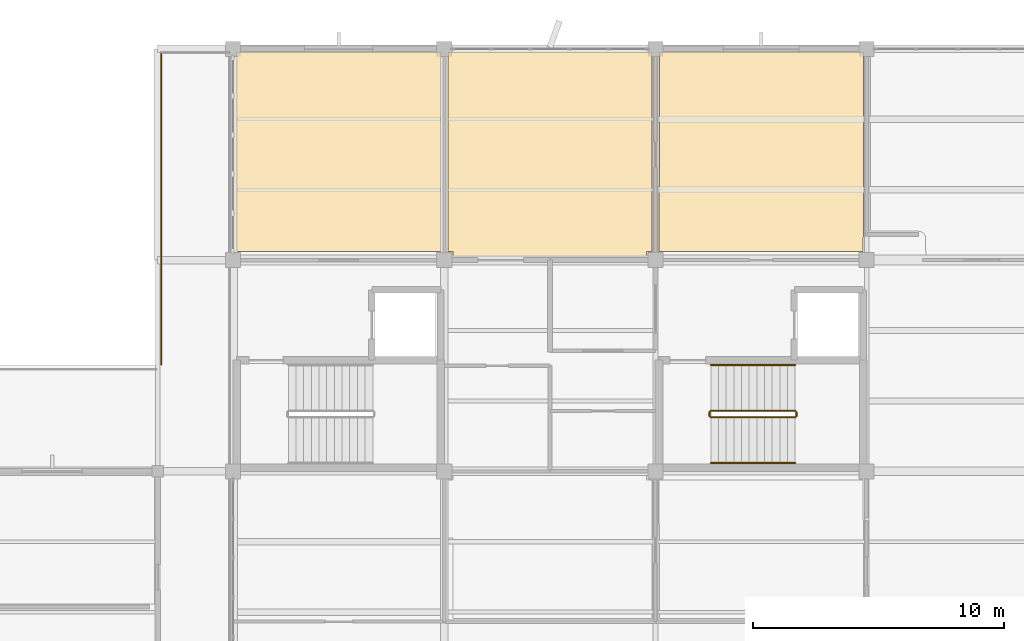
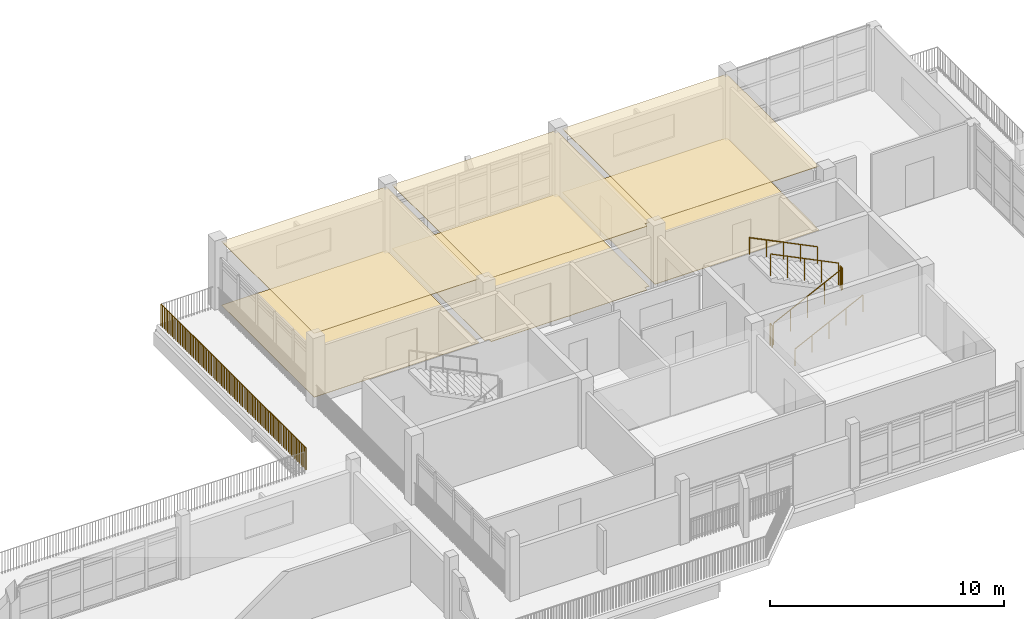
# One storey, part 28 of 33: 7 railings, 6 coverings.
"""IFC4 building model written with IfcOpenShell, lengths in metres."""

from ifc_helpers import new_model, si_unit, direction, frame, origin, origin_2d, place, context, subcontext, project, spatial, polyline, circle, outline, extrude, material, layer, layer_set, type_object, element, save


model = new_model("IFC4")

# Units and contexts
model_context = context("Model", 3, precision=1e-05, world=origin(), true_north=direction((0.0, 1.0)))
body_context = subcontext(model_context, "Body", "Model", "MODEL_VIEW")
ifc_project = project(units=[si_unit("LENGTHUNIT", "METRE"), si_unit("AREAUNIT", "SQUARE_METRE"), si_unit("VOLUMEUNIT", "CUBIC_METRE"), si_unit("PLANEANGLEUNIT", "RADIAN"), si_unit("MASSUNIT", "GRAM", prefix="KILO")], contexts=[model_context])

# Site, building, storey
site_placement = place(None, origin())
site = spatial("IfcSite", under=ifc_project, at=site_placement, CompositionType="ELEMENT")
building_placement = place(site_placement, origin())
building = spatial("IfcBuilding", under=site, at=building_placement, Name="Vanh Quang Courtyard School", CompositionType="ELEMENT")
storey_placement = place(building_placement, frame((0.0, 0.0, 18.60009765625)))
storey = spatial("IfcBuildingStorey", under=building, at=storey_placement, Name="L05", CompositionType="ELEMENT", Elevation=18.60009765625)

# Coverings
ifc_material_1 = material(Name="Perforated mineral-fibre acoustic ceiling board")
ifc_layer_1 = layer(ifc_material_1, 0.02490234375)
ifc_layer_set_1 = layer_set([ifc_layer_1], Name="Perforated mineral-fibre acoustic ceiling board")
covering_type_1 = type_object("IfcCoveringType", Name="COV-CEIL-ACOUSTIC", PredefinedType="CEILING", material=ifc_layer_set_1)
covering_1_placement = place(storey_placement, frame((0.0, 0.0, 3.324951171875)))
element("IfcCovering", 1, at=covering_1_placement, inside=storey, type_object=covering_type_1, Name="Covering CV-CL1 (L05)", PredefinedType="CEILING", context=body_context, shape_type="SweptSolid", body=[
    extrude(outline(polyline([(85.659912109375, 96.469970703125), (85.660888671875, 96.469970703125), (85.662109375, 96.4697265625), (85.662841796875, 96.469482421875), (85.663818359375, 96.46923828125), (85.664794921875, 96.46875), (85.66552734375, 96.46826171875), (85.666259765625, 96.4677734375), (85.6669921875, 96.467041015625), (85.667724609375, 96.46630859375), (85.668212890625, 96.465576171875), (85.668701171875, 96.464599609375), (85.669189453125, 96.4638671875), (85.669677734375, 96.462890625), (85.669921875, 96.4619140625), (85.669921875, 96.4609375), (85.669921875, 96.4599609375), (85.669921875, 88.550048828125), (77.530029296875, 88.550048828125), (77.530029296875, 96.4599609375), (77.530029296875, 96.4609375), (77.5302734375, 96.4619140625), (77.530517578125, 96.462890625), (77.53076171875, 96.4638671875), (77.53125, 96.464599609375), (77.53173828125, 96.465576171875), (77.5322265625, 96.46630859375), (77.532958984375, 96.467041015625), (77.53369140625, 96.4677734375), (77.534423828125, 96.46826171875), (77.535400390625, 96.46875), (77.5361328125, 96.46923828125), (77.537109375, 96.469482421875), (77.5380859375, 96.4697265625), (77.5390625, 96.469970703125), (77.5400390625, 96.469970703125), (85.659912109375, 96.469970703125)])), origin(), (0.0, 0.0, 1.0), 0.02490234375),
])
covering_2_placement = place(storey_placement, frame((0.0, 0.0, 3.324951171875)))
element("IfcCovering", 2, at=covering_2_placement, inside=storey, type_object=covering_type_1, Name="Covering CV-CL1 (L05)", PredefinedType="CEILING", context=body_context, shape_type="SweptSolid", body=[
    extrude(outline(polyline([(86.14990234375, 88.35009765625), (86.14990234375, 88.550048828125), (85.949951171875, 88.550048828125), (85.949951171875, 96.4599609375), (85.949951171875, 96.4609375), (85.9501953125, 96.4619140625), (85.950439453125, 96.462890625), (85.95068359375, 96.4638671875), (85.951171875, 96.464599609375), (85.95166015625, 96.465576171875), (85.952392578125, 96.46630859375), (85.952880859375, 96.467041015625), (85.95361328125, 96.4677734375), (85.954345703125, 96.46826171875), (85.955322265625, 96.46875), (85.956298828125, 96.46923828125), (85.95703125, 96.469482421875), (85.9580078125, 96.4697265625), (85.958984375, 96.469970703125), (85.9599609375, 96.469970703125), (94.06005859375, 96.469970703125), (94.06103515625, 96.469970703125), (94.06201171875, 96.4697265625), (94.06298828125, 96.469482421875), (94.063720703125, 96.46923828125), (94.064697265625, 96.46875), (94.065673828125, 96.46826171875), (94.06640625, 96.4677734375), (94.067138671875, 96.467041015625), (94.067626953125, 96.46630859375), (94.068359375, 96.465576171875), (94.06884765625, 96.464599609375), (94.069091796875, 96.4638671875), (94.069580078125, 96.462890625), (94.06982421875, 96.4619140625), (94.070068359375, 96.4609375), (94.070068359375, 96.4599609375), (94.070068359375, 88.550048828125), (93.85009765625, 88.550048828125), (93.85009765625, 88.35009765625), (90.160888671875, 88.35009765625), (90.054443359375, 88.330078125), (90.053466796875, 88.330078125), (90.052490234375, 88.330078125), (89.96728515625, 88.330078125), (89.966552734375, 88.330078125), (89.965576171875, 88.330078125), (89.859130859375, 88.35009765625), (86.14990234375, 88.35009765625)])), origin(), (0.0, 0.0, 1.0), 0.02490234375),
])
covering_3_placement = place(storey_placement, frame((0.0, 0.0, 3.324951171875)))
element("IfcCovering", 3, at=covering_3_placement, inside=storey, type_object=covering_type_1, Name="Covering CV-CL1 (L05)", PredefinedType="CEILING", context=body_context, shape_type="SweptSolid", body=[
    extrude(outline(polyline([(94.35009765625, 96.4599609375), (94.35009765625, 96.4609375), (94.35009765625, 96.4619140625), (94.350341796875, 96.462890625), (94.350830078125, 96.4638671875), (94.351318359375, 96.464599609375), (94.351806640625, 96.465576171875), (94.352294921875, 96.46630859375), (94.352783203125, 96.467041015625), (94.353759765625, 96.4677734375), (94.3544921875, 96.46826171875), (94.355224609375, 96.46875), (94.356201171875, 96.46923828125), (94.357177734375, 96.469482421875), (94.35791015625, 96.4697265625), (94.35888671875, 96.469970703125), (94.360107421875, 96.469970703125), (102.4599609375, 96.469970703125), (102.4609375, 96.469970703125), (102.4619140625, 96.4697265625), (102.462890625, 96.469482421875), (102.4638671875, 96.46923828125), (102.464599609375, 96.46875), (102.465576171875, 96.46826171875), (102.46630859375, 96.4677734375), (102.467041015625, 96.467041015625), (102.4677734375, 96.46630859375), (102.46826171875, 96.465576171875), (102.46875, 96.464599609375), (102.46923828125, 96.4638671875), (102.469482421875, 96.462890625), (102.4697265625, 96.4619140625), (102.469970703125, 96.4609375), (102.469970703125, 96.4599609375), (102.469970703125, 89.16748046875), (102.469970703125, 89.16650390625), (102.4697265625, 89.16552734375), (102.449951171875, 89.05908203125), (102.449951171875, 88.550048828125), (94.34912109375, 88.550048828125), (94.35009765625, 96.4599609375)])), origin(), (0.0, 0.0, 1.0), 0.02490234375),
])
ifc_material_2 = material(Name="Polished cementitious terrazzo tile", Category="concrete")
ifc_layer_2 = layer(ifc_material_2, 0.02001953125)
ifc_layer_set_2 = layer_set([ifc_layer_2], Name="Polished cementitious terrazzo tile")
covering_type_2 = type_object("IfcCoveringType", Name="COV-FLR-TERRAZZO", PredefinedType="FLOORING", material=ifc_layer_set_2)
covering_4_placement = place(storey_placement, origin())
element("IfcCovering", 4, at=covering_4_placement, inside=storey, type_object=covering_type_2, Name="Covering CV-FL1 (L05)", PredefinedType="FLOORING", context=body_context, shape_type="SweptSolid", body=[
    extrude(outline(polyline([(85.659912109375, 96.469970703125), (85.660888671875, 96.469970703125), (85.662109375, 96.4697265625), (85.662841796875, 96.469482421875), (85.663818359375, 96.46923828125), (85.664794921875, 96.46875), (85.66552734375, 96.46826171875), (85.666259765625, 96.4677734375), (85.6669921875, 96.467041015625), (85.667724609375, 96.46630859375), (85.668212890625, 96.465576171875), (85.668701171875, 96.464599609375), (85.669189453125, 96.4638671875), (85.669677734375, 96.462890625), (85.669921875, 96.4619140625), (85.669921875, 96.4609375), (85.669921875, 96.4599609375), (85.669921875, 88.550048828125), (77.530029296875, 88.550048828125), (77.530029296875, 96.4599609375), (77.530029296875, 96.4609375), (77.5302734375, 96.4619140625), (77.530517578125, 96.462890625), (77.53076171875, 96.4638671875), (77.53125, 96.464599609375), (77.53173828125, 96.465576171875), (77.5322265625, 96.46630859375), (77.532958984375, 96.467041015625), (77.53369140625, 96.4677734375), (77.534423828125, 96.46826171875), (77.535400390625, 96.46875), (77.5361328125, 96.46923828125), (77.537109375, 96.469482421875), (77.5380859375, 96.4697265625), (77.5390625, 96.469970703125), (77.5400390625, 96.469970703125), (85.659912109375, 96.469970703125)])), origin(), (0.0, 0.0, 1.0), 0.02001953125),
])
covering_5_placement = place(storey_placement, origin())
element("IfcCovering", 5, at=covering_5_placement, inside=storey, type_object=covering_type_2, Name="Covering CV-FL1 (L05)", PredefinedType="FLOORING", context=body_context, shape_type="SweptSolid", body=[
    extrude(outline(polyline([(86.14990234375, 88.35009765625), (86.14990234375, 88.550048828125), (85.949951171875, 88.550048828125), (85.949951171875, 96.4599609375), (85.949951171875, 96.4609375), (85.9501953125, 96.4619140625), (85.950439453125, 96.462890625), (85.95068359375, 96.4638671875), (85.951171875, 96.464599609375), (85.95166015625, 96.465576171875), (85.952392578125, 96.46630859375), (85.952880859375, 96.467041015625), (85.95361328125, 96.4677734375), (85.954345703125, 96.46826171875), (85.955322265625, 96.46875), (85.956298828125, 96.46923828125), (85.95703125, 96.469482421875), (85.9580078125, 96.4697265625), (85.958984375, 96.469970703125), (85.9599609375, 96.469970703125), (94.06005859375, 96.469970703125), (94.06103515625, 96.469970703125), (94.06201171875, 96.4697265625), (94.06298828125, 96.469482421875), (94.063720703125, 96.46923828125), (94.064697265625, 96.46875), (94.065673828125, 96.46826171875), (94.06640625, 96.4677734375), (94.067138671875, 96.467041015625), (94.067626953125, 96.46630859375), (94.068359375, 96.465576171875), (94.06884765625, 96.464599609375), (94.069091796875, 96.4638671875), (94.069580078125, 96.462890625), (94.06982421875, 96.4619140625), (94.070068359375, 96.4609375), (94.070068359375, 96.4599609375), (94.070068359375, 88.550048828125), (93.85009765625, 88.550048828125), (93.85009765625, 88.35009765625), (90.160888671875, 88.35009765625), (90.054443359375, 88.330078125), (90.053466796875, 88.330078125), (90.052490234375, 88.330078125), (89.96728515625, 88.330078125), (89.966552734375, 88.330078125), (89.965576171875, 88.330078125), (89.859130859375, 88.35009765625), (86.14990234375, 88.35009765625)])), origin(), (0.0, 0.0, 1.0), 0.02001953125),
])
covering_6_placement = place(storey_placement, origin())
element("IfcCovering", 6, at=covering_6_placement, inside=storey, type_object=covering_type_2, Name="Covering CV-FL1 (L05)", PredefinedType="FLOORING", context=body_context, shape_type="SweptSolid", body=[
    extrude(outline(polyline([(94.35009765625, 96.4599609375), (94.35009765625, 96.4609375), (94.35009765625, 96.4619140625), (94.350341796875, 96.462890625), (94.350830078125, 96.4638671875), (94.351318359375, 96.464599609375), (94.351806640625, 96.465576171875), (94.352294921875, 96.46630859375), (94.352783203125, 96.467041015625), (94.353759765625, 96.4677734375), (94.3544921875, 96.46826171875), (94.355224609375, 96.46875), (94.356201171875, 96.46923828125), (94.357177734375, 96.469482421875), (94.35791015625, 96.4697265625), (94.35888671875, 96.469970703125), (94.360107421875, 96.469970703125), (102.4599609375, 96.469970703125), (102.4609375, 96.469970703125), (102.4619140625, 96.4697265625), (102.462890625, 96.469482421875), (102.4638671875, 96.46923828125), (102.464599609375, 96.46875), (102.465576171875, 96.46826171875), (102.46630859375, 96.4677734375), (102.467041015625, 96.467041015625), (102.4677734375, 96.46630859375), (102.46826171875, 96.465576171875), (102.46875, 96.464599609375), (102.46923828125, 96.4638671875), (102.469482421875, 96.462890625), (102.4697265625, 96.4619140625), (102.469970703125, 96.4609375), (102.469970703125, 96.4599609375), (102.469970703125, 89.16748046875), (102.469970703125, 89.16650390625), (102.4697265625, 89.16552734375), (102.449951171875, 89.05908203125), (102.449951171875, 88.550048828125), (94.34912109375, 88.550048828125), (94.35009765625, 96.4599609375)])), origin(), (0.0, 0.0, 1.0), 0.02001953125),
])

# Railings
ifc_material_3 = material(Name="Galvanised painted steel EN 10025-2 S355J2", Category="steel")
railing_type_1 = type_object("IfcRailingType", Name="RAIL-GUARD-1150", PredefinedType="BALUSTRADE", material=ifc_material_3)
railing_1_placement = place(storey_placement, frame((74.5400390625, 84.050048828125, 0.0)))
element("IfcRailing", 7, at=railing_1_placement, inside=storey, type_object=railing_type_1, Name="Railing GR-01 (L05)", PredefinedType="BALUSTRADE", context=body_context, shape_type="SweptSolid", body=[
    extrude(circle(Radius=0.02392578125, at=origin_2d()), frame((0.0, 0.0, 1.1259765625), z_axis=(0.0, 1.0, 0.0), x_axis=(-1.0, 0.0, 0.0)), (0.0, 0.0, 1.0), 12.409912109375),
    extrude(circle(Radius=0.02099609375, at=origin_2d()), origin(), (0.0, 0.0, 1.0), 1.101806640625),
    extrude(circle(Radius=0.02099609375, at=origin_2d()), frame((0.0, 0.139404296875, 0.0)), (0.0, 0.0, 1.0), 1.101806640625),
    extrude(circle(Radius=0.02099609375, at=origin_2d()), frame((0.0, 0.27880859375, 0.0)), (0.0, 0.0, 1.0), 1.101806640625),
    extrude(circle(Radius=0.02099609375, at=origin_2d()), frame((0.0, 0.418212890625, 0.0)), (0.0, 0.0, 1.0), 1.101806640625),
    extrude(circle(Radius=0.02099609375, at=origin_2d()), frame((0.0, 0.557861328125, 0.0)), (0.0, 0.0, 1.0), 1.101806640625),
    extrude(circle(Radius=0.02099609375, at=origin_2d()), frame((0.0, 0.697265625, 0.0)), (0.0, 0.0, 1.0), 1.101806640625),
    extrude(circle(Radius=0.02099609375, at=origin_2d()), frame((0.0, 0.836669921875, 0.0)), (0.0, 0.0, 1.0), 1.101806640625),
    extrude(circle(Radius=0.02099609375, at=origin_2d()), frame((0.0, 0.97607421875, 0.0)), (0.0, 0.0, 1.0), 1.101806640625),
    extrude(circle(Radius=0.02099609375, at=origin_2d()), frame((0.0, 1.115478515625, 0.0)), (0.0, 0.0, 1.0), 1.101806640625),
    extrude(circle(Radius=0.02099609375, at=origin_2d()), frame((0.0, 1.2548828125, 0.0)), (0.0, 0.0, 1.0), 1.101806640625),
    extrude(circle(Radius=0.02099609375, at=origin_2d()), frame((0.0, 1.394287109375, 0.0)), (0.0, 0.0, 1.0), 1.101806640625),
    extrude(circle(Radius=0.02099609375, at=origin_2d()), frame((0.0, 1.53369140625, 0.0)), (0.0, 0.0, 1.0), 1.101806640625),
    extrude(circle(Radius=0.02099609375, at=origin_2d()), frame((0.0, 1.67333984375, 0.0)), (0.0, 0.0, 1.0), 1.101806640625),
    extrude(circle(Radius=0.02099609375, at=origin_2d()), frame((0.0, 1.812744140625, 0.0)), (0.0, 0.0, 1.0), 1.101806640625),
    extrude(circle(Radius=0.02099609375, at=origin_2d()), frame((0.0, 1.9521484375, 0.0)), (0.0, 0.0, 1.0), 1.101806640625),
    extrude(circle(Radius=0.02099609375, at=origin_2d()), frame((0.0, 2.091552734375, 0.0)), (0.0, 0.0, 1.0), 1.101806640625),
    extrude(circle(Radius=0.02099609375, at=origin_2d()), frame((0.0, 2.23095703125, 0.0)), (0.0, 0.0, 1.0), 1.101806640625),
    extrude(circle(Radius=0.02099609375, at=origin_2d()), frame((0.0, 2.370361328125, 0.0)), (0.0, 0.0, 1.0), 1.101806640625),
    extrude(circle(Radius=0.02099609375, at=origin_2d()), frame((0.0, 2.509765625, 0.0)), (0.0, 0.0, 1.0), 1.101806640625),
    extrude(circle(Radius=0.02099609375, at=origin_2d()), frame((0.0, 2.6494140625, 0.0)), (0.0, 0.0, 1.0), 1.101806640625),
    extrude(circle(Radius=0.02099609375, at=origin_2d()), frame((0.0, 2.788818359375, 0.0)), (0.0, 0.0, 1.0), 1.101806640625),
    extrude(circle(Radius=0.02099609375, at=origin_2d()), frame((0.0, 2.92822265625, 0.0)), (0.0, 0.0, 1.0), 1.101806640625),
    extrude(circle(Radius=0.02099609375, at=origin_2d()), frame((0.0, 3.067626953125, 0.0)), (0.0, 0.0, 1.0), 1.101806640625),
    extrude(circle(Radius=0.02099609375, at=origin_2d()), frame((0.0, 3.20703125, 0.0)), (0.0, 0.0, 1.0), 1.101806640625),
    extrude(circle(Radius=0.02099609375, at=origin_2d()), frame((0.0, 3.346435546875, 0.0)), (0.0, 0.0, 1.0), 1.101806640625),
    extrude(circle(Radius=0.02099609375, at=origin_2d()), frame((0.0, 3.48583984375, 0.0)), (0.0, 0.0, 1.0), 1.101806640625),
    extrude(circle(Radius=0.02099609375, at=origin_2d()), frame((0.0, 3.62548828125, 0.0)), (0.0, 0.0, 1.0), 1.101806640625),
    extrude(circle(Radius=0.02099609375, at=origin_2d()), frame((0.0, 3.764892578125, 0.0)), (0.0, 0.0, 1.0), 1.101806640625),
    extrude(circle(Radius=0.02099609375, at=origin_2d()), frame((0.0, 3.904296875, 0.0)), (0.0, 0.0, 1.0), 1.101806640625),
    extrude(circle(Radius=0.02099609375, at=origin_2d()), frame((0.0, 4.043701171875, 0.0)), (0.0, 0.0, 1.0), 1.101806640625),
    extrude(circle(Radius=0.02099609375, at=origin_2d()), frame((0.0, 4.18310546875, 0.0)), (0.0, 0.0, 1.0), 1.101806640625),
    extrude(circle(Radius=0.02099609375, at=origin_2d()), frame((0.0, 4.322509765625, 0.0)), (0.0, 0.0, 1.0), 1.101806640625),
    extrude(circle(Radius=0.02099609375, at=origin_2d()), frame((0.0, 4.4619140625, 0.0)), (0.0, 0.0, 1.0), 1.101806640625),
    extrude(circle(Radius=0.02099609375, at=origin_2d()), frame((0.0, 4.601318359375, 0.0)), (0.0, 0.0, 1.0), 1.101806640625),
    extrude(circle(Radius=0.02099609375, at=origin_2d()), frame((0.0, 4.740966796875, 0.0)), (0.0, 0.0, 1.0), 1.101806640625),
    extrude(circle(Radius=0.02099609375, at=origin_2d()), frame((0.0, 4.88037109375, 0.0)), (0.0, 0.0, 1.0), 1.101806640625),
    extrude(circle(Radius=0.02099609375, at=origin_2d()), frame((0.0, 5.019775390625, 0.0)), (0.0, 0.0, 1.0), 1.101806640625),
    extrude(circle(Radius=0.02099609375, at=origin_2d()), frame((0.0, 5.1591796875, 0.0)), (0.0, 0.0, 1.0), 1.101806640625),
    extrude(circle(Radius=0.02099609375, at=origin_2d()), frame((0.0, 5.298583984375, 0.0)), (0.0, 0.0, 1.0), 1.101806640625),
    extrude(circle(Radius=0.02099609375, at=origin_2d()), frame((0.0, 5.43798828125, 0.0)), (0.0, 0.0, 1.0), 1.101806640625),
    extrude(circle(Radius=0.02099609375, at=origin_2d()), frame((0.0, 5.577392578125, 0.0)), (0.0, 0.0, 1.0), 1.101806640625),
    extrude(circle(Radius=0.02099609375, at=origin_2d()), frame((0.0, 5.717041015625, 0.0)), (0.0, 0.0, 1.0), 1.101806640625),
    extrude(circle(Radius=0.02099609375, at=origin_2d()), frame((0.0, 5.8564453125, 0.0)), (0.0, 0.0, 1.0), 1.101806640625),
    extrude(circle(Radius=0.02099609375, at=origin_2d()), frame((0.0, 5.995849609375, 0.0)), (0.0, 0.0, 1.0), 1.101806640625),
    extrude(circle(Radius=0.02099609375, at=origin_2d()), frame((0.0, 6.13525390625, 0.0)), (0.0, 0.0, 1.0), 1.101806640625),
    extrude(circle(Radius=0.02099609375, at=origin_2d()), frame((0.0, 6.274658203125, 0.0)), (0.0, 0.0, 1.0), 1.101806640625),
    extrude(circle(Radius=0.02099609375, at=origin_2d()), frame((0.0, 6.4140625, 0.0)), (0.0, 0.0, 1.0), 1.101806640625),
    extrude(circle(Radius=0.02099609375, at=origin_2d()), frame((0.0, 6.553466796875, 0.0)), (0.0, 0.0, 1.0), 1.101806640625),
    extrude(circle(Radius=0.02099609375, at=origin_2d()), frame((0.0, 6.69287109375, 0.0)), (0.0, 0.0, 1.0), 1.101806640625),
    extrude(circle(Radius=0.02099609375, at=origin_2d()), frame((0.0, 6.83251953125, 0.0)), (0.0, 0.0, 1.0), 1.101806640625),
    extrude(circle(Radius=0.02099609375, at=origin_2d()), frame((0.0, 6.971923828125, 0.0)), (0.0, 0.0, 1.0), 1.101806640625),
    extrude(circle(Radius=0.02099609375, at=origin_2d()), frame((0.0, 7.111328125, 0.0)), (0.0, 0.0, 1.0), 1.101806640625),
    extrude(circle(Radius=0.02099609375, at=origin_2d()), frame((0.0, 7.250732421875, 0.0)), (0.0, 0.0, 1.0), 1.101806640625),
    extrude(circle(Radius=0.02099609375, at=origin_2d()), frame((0.0, 7.39013671875, 0.0)), (0.0, 0.0, 1.0), 1.101806640625),
    extrude(circle(Radius=0.02099609375, at=origin_2d()), frame((0.0, 7.529541015625, 0.0)), (0.0, 0.0, 1.0), 1.101806640625),
    extrude(circle(Radius=0.02099609375, at=origin_2d()), frame((0.0, 7.6689453125, 0.0)), (0.0, 0.0, 1.0), 1.101806640625),
    extrude(circle(Radius=0.02099609375, at=origin_2d()), frame((0.0, 7.80859375, 0.0)), (0.0, 0.0, 1.0), 1.101806640625),
    extrude(circle(Radius=0.02099609375, at=origin_2d()), frame((0.0, 7.947998046875, 0.0)), (0.0, 0.0, 1.0), 1.101806640625),
    extrude(circle(Radius=0.02099609375, at=origin_2d()), frame((0.0, 8.08740234375, 0.0)), (0.0, 0.0, 1.0), 1.101806640625),
    extrude(circle(Radius=0.02099609375, at=origin_2d()), frame((0.0, 8.226806640625, 0.0)), (0.0, 0.0, 1.0), 1.101806640625),
    extrude(circle(Radius=0.02099609375, at=origin_2d()), frame((0.0, 8.3662109375, 0.0)), (0.0, 0.0, 1.0), 1.101806640625),
    extrude(circle(Radius=0.02099609375, at=origin_2d()), frame((0.0, 8.505615234375, 0.0)), (0.0, 0.0, 1.0), 1.101806640625),
    extrude(circle(Radius=0.02099609375, at=origin_2d()), frame((0.0, 8.64501953125, 0.0)), (0.0, 0.0, 1.0), 1.101806640625),
    extrude(circle(Radius=0.02099609375, at=origin_2d()), frame((0.0, 8.784423828125, 0.0)), (0.0, 0.0, 1.0), 1.101806640625),
    extrude(circle(Radius=0.02099609375, at=origin_2d()), frame((0.0, 8.924072265625, 0.0)), (0.0, 0.0, 1.0), 1.101806640625),
    extrude(circle(Radius=0.02099609375, at=origin_2d()), frame((0.0, 9.0634765625, 0.0)), (0.0, 0.0, 1.0), 1.101806640625),
    extrude(circle(Radius=0.02099609375, at=origin_2d()), frame((0.0, 9.202880859375, 0.0)), (0.0, 0.0, 1.0), 1.101806640625),
    extrude(circle(Radius=0.02099609375, at=origin_2d()), frame((0.0, 9.34228515625, 0.0)), (0.0, 0.0, 1.0), 1.101806640625),
    extrude(circle(Radius=0.02099609375, at=origin_2d()), frame((0.0, 9.481689453125, 0.0)), (0.0, 0.0, 1.0), 1.101806640625),
    extrude(circle(Radius=0.02099609375, at=origin_2d()), frame((0.0, 9.62109375, 0.0)), (0.0, 0.0, 1.0), 1.101806640625),
    extrude(circle(Radius=0.02099609375, at=origin_2d()), frame((0.0, 9.760498046875, 0.0)), (0.0, 0.0, 1.0), 1.101806640625),
    extrude(circle(Radius=0.02099609375, at=origin_2d()), frame((0.0, 9.900146484375, 0.0)), (0.0, 0.0, 1.0), 1.101806640625),
    extrude(circle(Radius=0.02099609375, at=origin_2d()), frame((0.0, 10.03955078125, 0.0)), (0.0, 0.0, 1.0), 1.101806640625),
    extrude(circle(Radius=0.02099609375, at=origin_2d()), frame((0.0, 10.178955078125, 0.0)), (0.0, 0.0, 1.0), 1.101806640625),
    extrude(circle(Radius=0.02099609375, at=origin_2d()), frame((0.0, 10.318359375, 0.0)), (0.0, 0.0, 1.0), 1.101806640625),
    extrude(circle(Radius=0.02099609375, at=origin_2d()), frame((0.0, 10.457763671875, 0.0)), (0.0, 0.0, 1.0), 1.101806640625),
    extrude(circle(Radius=0.02099609375, at=origin_2d()), frame((0.0, 10.59716796875, 0.0)), (0.0, 0.0, 1.0), 1.101806640625),
    extrude(circle(Radius=0.02099609375, at=origin_2d()), frame((0.0, 10.736572265625, 0.0)), (0.0, 0.0, 1.0), 1.101806640625),
    extrude(circle(Radius=0.02099609375, at=origin_2d()), frame((0.0, 10.876220703125, 0.0)), (0.0, 0.0, 1.0), 1.101806640625),
    extrude(circle(Radius=0.02099609375, at=origin_2d()), frame((0.0, 11.015625, 0.0)), (0.0, 0.0, 1.0), 1.101806640625),
    extrude(circle(Radius=0.02099609375, at=origin_2d()), frame((0.0, 11.155029296875, 0.0)), (0.0, 0.0, 1.0), 1.101806640625),
    extrude(circle(Radius=0.02099609375, at=origin_2d()), frame((0.0, 11.29443359375, 0.0)), (0.0, 0.0, 1.0), 1.101806640625),
    extrude(circle(Radius=0.02099609375, at=origin_2d()), frame((0.0, 11.433837890625, 0.0)), (0.0, 0.0, 1.0), 1.101806640625),
    extrude(circle(Radius=0.02099609375, at=origin_2d()), frame((0.0, 11.5732421875, 0.0)), (0.0, 0.0, 1.0), 1.101806640625),
    extrude(circle(Radius=0.02099609375, at=origin_2d()), frame((0.0, 11.712646484375, 0.0)), (0.0, 0.0, 1.0), 1.101806640625),
    extrude(circle(Radius=0.02099609375, at=origin_2d()), frame((0.0, 11.85205078125, 0.0)), (0.0, 0.0, 1.0), 1.101806640625),
    extrude(circle(Radius=0.02099609375, at=origin_2d()), frame((0.0, 11.99169921875, 0.0)), (0.0, 0.0, 1.0), 1.101806640625),
    extrude(circle(Radius=0.02099609375, at=origin_2d()), frame((0.0, 12.131103515625, 0.0)), (0.0, 0.0, 1.0), 1.101806640625),
    extrude(circle(Radius=0.02099609375, at=origin_2d()), frame((0.0, 12.2705078125, 0.0)), (0.0, 0.0, 1.0), 1.101806640625),
    extrude(circle(Radius=0.02099609375, at=origin_2d()), frame((0.0, 12.409912109375, 0.0)), (0.0, 0.0, 1.0), 1.101806640625),
])
railing_2_placement = place(storey_placement, frame((96.39990234375, 81.949951171875, 0.14990234375)))
element("IfcRailing", 8, at=railing_2_placement, inside=storey, type_object=railing_type_1, Name="L05 ST-02 stair guard 1", PredefinedType="BALUSTRADE", context=body_context, shape_type="SweptSolid", body=[
    extrude(circle(Radius=0.02392578125, at=origin_2d()), frame((0.0, 0.0, 1.1259765625), z_axis=(0.897359292542, 0.0, 0.441300691239), x_axis=(0.0, 1.0, 0.0)), (0.0, 0.0, 1.0), 3.73876953125),
    extrude(circle(Radius=0.02099609375, at=origin_2d()), origin(), (0.0, 0.0, 1.0), 1.101806640625),
    extrude(circle(Radius=0.02099609375, at=origin_2d()), frame((0.8388671875, 0.0, 0.41259765625)), (0.0, 0.0, 1.0), 1.101806640625),
    extrude(circle(Radius=0.02099609375, at=origin_2d()), frame((1.677490234375, 0.0, 0.824951171875)), (0.0, 0.0, 1.0), 1.101806640625),
    extrude(circle(Radius=0.02099609375, at=origin_2d()), frame((2.51611328125, 0.0, 1.2373046875)), (0.0, 0.0, 1.0), 1.101806640625),
    extrude(circle(Radius=0.02099609375, at=origin_2d()), frame((3.35498046875, 0.0, 1.64990234375)), (0.0, 0.0, 1.0), 1.101806640625),
])
railing_3_placement = place(storey_placement, frame((99.804931640625, 82.0, 1.7998046875)))
element("IfcRailing", 9, at=railing_3_placement, inside=storey, type_object=railing_type_1, Name="L05 ST-02 stair guard 2", PredefinedType="BALUSTRADE", context=body_context, shape_type="SweptSolid", body=[
    extrude(circle(Radius=0.02392578125, at=origin_2d()), frame((0.0, 0.0, 1.1259765625), z_axis=(0.0, 1.0, 0.0), x_axis=(-1.0, 0.0, 0.0)), (0.0, 0.0, 1.0), 0.159912109375),
    extrude(circle(Radius=0.02099609375, at=origin_2d()), origin(), (0.0, 0.0, 1.0), 1.101806640625),
    extrude(circle(Radius=0.02099609375, at=origin_2d()), frame((0.0, 0.159912109375, 0.0)), (0.0, 0.0, 1.0), 1.101806640625),
])
railing_4_placement = place(storey_placement, frame((99.7548828125, 82.2099609375, 1.949951171875)))
element("IfcRailing", 10, at=railing_4_placement, inside=storey, type_object=railing_type_1, Name="L05 ST-02 stair guard 3", PredefinedType="BALUSTRADE", context=body_context, shape_type="SweptSolid", body=[
    extrude(circle(Radius=0.02392578125, at=origin_2d()), frame((0.0, 0.0, 1.1259765625), z_axis=(-0.897359292542, 0.0, 0.441300691239), x_axis=(0.0, -1.0, 0.0)), (0.0, 0.0, 1.0), 3.73876953125),
    extrude(circle(Radius=0.02099609375, at=origin_2d()), origin(), (0.0, 0.0, 1.0), 1.101806640625),
    extrude(circle(Radius=0.02099609375, at=origin_2d()), frame((-0.8388671875, 0.0, 0.41259765625)), (0.0, 0.0, 1.0), 1.101806640625),
    extrude(circle(Radius=0.02099609375, at=origin_2d()), frame((-1.677490234375, 0.0, 0.824951171875)), (0.0, 0.0, 1.0), 1.101806640625),
    extrude(circle(Radius=0.02099609375, at=origin_2d()), frame((-2.51611328125, 0.0, 1.2373046875)), (0.0, 0.0, 1.0), 1.101806640625),
    extrude(circle(Radius=0.02099609375, at=origin_2d()), frame((-3.35498046875, 0.0, 1.64990234375)), (0.0, 0.0, 1.0), 1.101806640625),
])
railing_5_placement = place(storey_placement, frame((96.35009765625, 82.0, 0.0)))
element("IfcRailing", 11, at=railing_5_placement, inside=storey, type_object=railing_type_1, Name="L05 ST-02 stair guard 4", PredefinedType="BALUSTRADE", context=body_context, shape_type="SweptSolid", body=[
    extrude(circle(Radius=0.02392578125, at=origin_2d()), frame((0.0, 0.0, 1.1259765625), z_axis=(0.0, 1.0, 0.0), x_axis=(-1.0, 0.0, 0.0)), (0.0, 0.0, 1.0), 0.159912109375),
    extrude(circle(Radius=0.02099609375, at=origin_2d()), origin(), (0.0, 0.0, 1.0), 1.101806640625),
    extrude(circle(Radius=0.02099609375, at=origin_2d()), frame((0.0, 0.159912109375, 0.0)), (0.0, 0.0, 1.0), 1.101806640625),
])
ifc_material_4 = material(Name="Brushed stainless steel", Category="steel")
railing_type_2 = type_object("IfcRailingType", Name="RAIL-HAND-900", PredefinedType="HANDRAIL", material=ifc_material_4)
railing_6_placement = place(storey_placement, frame((96.39990234375, 80.1298828125, 0.14990234375)))
element("IfcRailing", 12, at=railing_6_placement, inside=storey, type_object=railing_type_2, Name="L05 ST-02 stair handrail 1", PredefinedType="HANDRAIL", context=body_context, shape_type="SweptSolid", body=[
    extrude(circle(Radius=0.02392578125, at=origin_2d()), frame((0.0, 0.0, 0.8759765625), z_axis=(0.897359292542, 0.0, 0.441300691239), x_axis=(0.0, 1.0, 0.0)), (0.0, 0.0, 1.0), 3.73876953125),
    extrude(circle(Radius=0.02099609375, at=origin_2d()), origin(), (0.0, 0.0, 1.0), 0.851806640625),
    extrude(circle(Radius=0.02099609375, at=origin_2d()), frame((0.8388671875, 0.0, 0.41259765625)), (0.0, 0.0, 1.0), 0.851806640625),
    extrude(circle(Radius=0.02099609375, at=origin_2d()), frame((1.677490234375, 0.0, 0.824951171875)), (0.0, 0.0, 1.0), 0.851806640625),
    extrude(circle(Radius=0.02099609375, at=origin_2d()), frame((2.51611328125, 0.0, 1.2373046875)), (0.0, 0.0, 1.0), 0.851806640625),
    extrude(circle(Radius=0.02099609375, at=origin_2d()), frame((3.35498046875, 0.0, 1.64990234375)), (0.0, 0.0, 1.0), 0.851806640625),
])
railing_7_placement = place(storey_placement, frame((99.7548828125, 84.030029296875, 1.949951171875)))
element("IfcRailing", 13, at=railing_7_placement, inside=storey, type_object=railing_type_2, Name="L05 ST-02 stair handrail 2", PredefinedType="HANDRAIL", context=body_context, shape_type="SweptSolid", body=[
    extrude(circle(Radius=0.02392578125, at=origin_2d()), frame((0.0, 0.0, 0.8759765625), z_axis=(-0.897359292542, 0.0, 0.441300691239), x_axis=(0.0, -1.0, 0.0)), (0.0, 0.0, 1.0), 3.73876953125),
    extrude(circle(Radius=0.02099609375, at=origin_2d()), origin(), (0.0, 0.0, 1.0), 0.851806640625),
    extrude(circle(Radius=0.02099609375, at=origin_2d()), frame((-0.8388671875, 0.0, 0.41259765625)), (0.0, 0.0, 1.0), 0.851806640625),
    extrude(circle(Radius=0.02099609375, at=origin_2d()), frame((-1.677490234375, 0.0, 0.824951171875)), (0.0, 0.0, 1.0), 0.851806640625),
    extrude(circle(Radius=0.02099609375, at=origin_2d()), frame((-2.51611328125, 0.0, 1.2373046875)), (0.0, 0.0, 1.0), 0.851806640625),
    extrude(circle(Radius=0.02099609375, at=origin_2d()), frame((-3.35498046875, 0.0, 1.64990234375)), (0.0, 0.0, 1.0), 0.851806640625),
])

save(model, "model.ifc")
